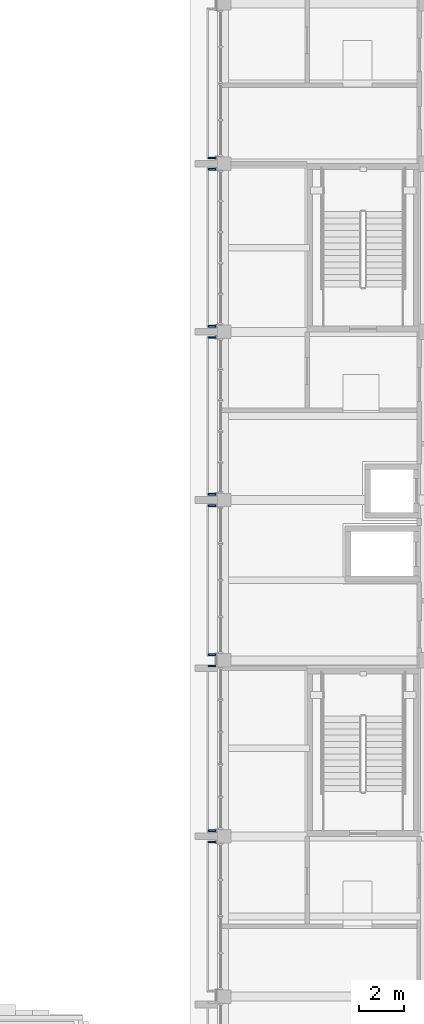
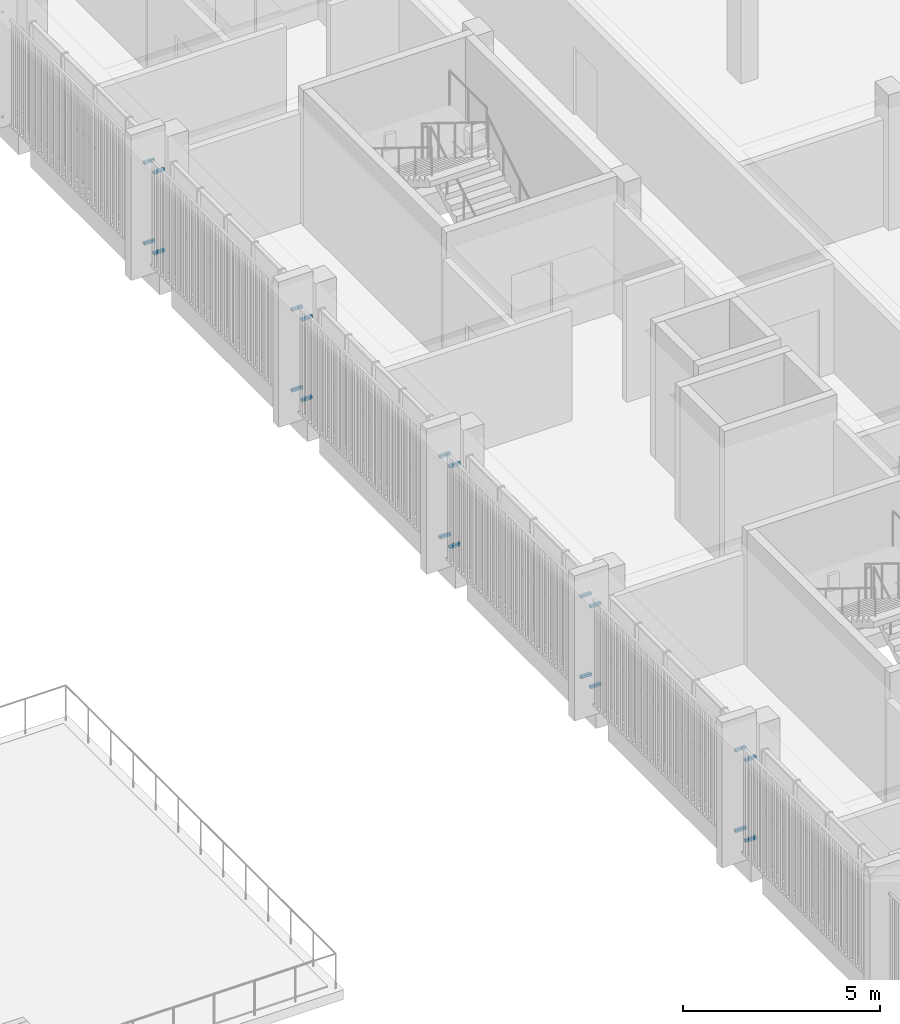
# One storey, part 62 of 98: 20 discrete accessories.
"""IFC4 building model written with IfcOpenShell, lengths in metres."""

import ifcopenshell
import ifcopenshell.guid

model = None  # the IFC model being written
_history = None  # IfcOwnerHistory: only IFC2X3 demands one
_inside = {}  # id of a spatial element -> (the spatial element, [elements in it])
_under = {}  # id of a project, library or spatial element -> (it, [spatial elements below it])
_declared = {}  # id of a project -> (the project, [libraries it declares])
_typed = {}  # id of a type object -> (the type object, [elements of that type])
_made_of = {}  # id of a material, layer set ... -> (it, [elements and type objects made of it])


def new_model(schema):
    """Start an empty IFC model of exactly this schema.

    Asked for "IFC4X3", IfcOpenShell would pick the latest addendum, in which some entities
    have other attributes; the version numbers below select the first issue.
    IFC2X3 requires an IfcOwnerHistory on every rooted entity: one is made here for all.
    """
    global model, _history
    if schema == "IFC4X3":
        model = ifcopenshell.file(schema_version=(4, 3, 0, 0))
    else:
        model = ifcopenshell.file(schema=schema)
    _inside.clear()
    _under.clear()
    _declared.clear()
    _typed.clear()
    _made_of.clear()
    _history = None
    if model.schema == "IFC2X3":
        org = make("IfcOrganization", Name="unknown")
        user = make(
            "IfcPersonAndOrganization",
            ThePerson=make("IfcPerson", FamilyName="unknown"),
            TheOrganization=org,
        )
        app = make(
            "IfcApplication",
            ApplicationDeveloper=org,
            Version="unknown",
            ApplicationFullName="unknown",
            ApplicationIdentifier="unknown",
        )
        _history = make(
            "IfcOwnerHistory",
            OwningUser=user,
            OwningApplication=app,
            ChangeAction="ADDED",
            CreationDate=0,
        )
    return model


def make(cls, **values):
    """One entity of the class cls with the attributes given. An attribute that is None is left unset."""
    return model.create_entity(
        cls, **{name: value for name, value in values.items() if value is not None}
    )


def rooted(cls, **values):
    """An entity with a GlobalId (a new one), such as an element, a storey or a relation."""
    return make(cls, GlobalId=ifcopenshell.guid.new(), OwnerHistory=_history, **values)


def si_unit(unit_type, name, prefix=None):
    """IfcSIUnit, for example si_unit("LENGTHUNIT", "METRE", prefix="MILLI")."""
    return make("IfcSIUnit", UnitType=unit_type, Prefix=prefix, Name=name)


def assignment(units):
    """IfcUnitAssignment: the units of a project."""
    return None if units is None else make("IfcUnitAssignment", Units=units)


def point(xyz):
    """IfcCartesianPoint."""
    return None if xyz is None else make("IfcCartesianPoint", Coordinates=xyz)


def direction(xyz):
    """IfcDirection."""
    return None if xyz is None else make("IfcDirection", DirectionRatios=xyz)


def frame(location, z_axis=None, x_axis=None):
    """IfcAxis2Placement3D, a coordinate frame: its origin and axes. An axis left out is left unset."""
    return make(
        "IfcAxis2Placement3D",
        Location=point(location),
        Axis=direction(z_axis),
        RefDirection=direction(x_axis),
    )


def frame_2d(location, x_axis=None):
    """IfcAxis2Placement2D, a coordinate frame in the plane: its origin and x axis."""
    return make(
        "IfcAxis2Placement2D", Location=point(location), RefDirection=direction(x_axis)
    )


def origin():
    """The frame at (0, 0, 0) with its axes left unset."""
    return frame((0.0, 0.0, 0.0))


def origin_2d():
    """The frame at (0, 0) in the plane with its x axis left unset."""
    return frame_2d((0.0, 0.0))


def place(relative_to, where):
    """IfcLocalPlacement: puts the frame where relative to a parent placement (None: the world)."""
    return make(
        "IfcLocalPlacement", PlacementRelTo=relative_to, RelativePlacement=where
    )


def context(
    kind, dimensions, precision=None, world=None, true_north=None, identifier=None
):
    """IfcGeometricRepresentationContext, for example the 3D "Model" context."""
    return make(
        "IfcGeometricRepresentationContext",
        ContextIdentifier=identifier,
        ContextType=kind,
        CoordinateSpaceDimension=dimensions,
        Precision=precision,
        WorldCoordinateSystem=world,
        TrueNorth=true_north,
    )


def subcontext(parent, identifier, kind, view, scale=None):
    """IfcGeometricRepresentationSubContext, for example "Body" below "Model"."""
    return make(
        "IfcGeometricRepresentationSubContext",
        ContextIdentifier=identifier,
        ContextType=kind,
        ParentContext=parent,
        TargetScale=scale,
        TargetView=view,
    )


def project(units=None, contexts=None):
    """IfcProject with its units and contexts."""
    return rooted(
        "IfcProject",
        Name="project",
        RepresentationContexts=contexts,
        UnitsInContext=assignment(units),
    )


def spatial(cls, under=None, at=None, **own):
    """A site, building, storey or space (cls), placed at a placement, below another one or the project."""
    s = rooted(cls, ObjectPlacement=at, **own)
    if under is not None:
        _under.setdefault(under.id(), (under, []))[1].append(s)
    return s


def profile(cls, at=None, kind="AREA", **sizes):
    """A parametric profile (cls). Its sizes go by their IFC names, for example OverallWidth=200.0."""
    return make(cls, ProfileType=kind, Position=at, **sizes)


def rectangle(**sizes):
    """IfcRectangleProfileDef."""
    return profile("IfcRectangleProfileDef", **sizes)


def extrude(swept, where, along, depth):
    """IfcExtrudedAreaSolid: the profile swept, set in the frame where, extruded along a direction by depth."""
    return make(
        "IfcExtrudedAreaSolid",
        SweptArea=swept,
        Position=where,
        ExtrudedDirection=direction(along),
        Depth=depth,
    )


def shape(context_of_items, identifier, shape_type, items):
    """IfcShapeRepresentation: the items that make up one representation, for example the "Body"."""
    return make(
        "IfcShapeRepresentation",
        ContextOfItems=context_of_items,
        RepresentationIdentifier=identifier,
        RepresentationType=shape_type,
        Items=items,
    )


def material(Name=None, Category=None):
    """IfcMaterial."""
    return make("IfcMaterial", Name=Name, Category=Category)


def made_of(thing, what):
    """Note that an element or type object is made of a material, layer set ...; save() writes the relation."""
    if what is not None:
        _made_of.setdefault(what.id(), (what, []))[1].append(thing)
    return thing


def type_object(cls, material=None, **own):
    """A type object (cls), such as IfcWallType, which elements share."""
    return made_of(rooted(cls, **own), material)


def element(
    cls,
    number,
    at=None,
    inside=None,
    cuts=None,
    type_object=None,
    material=None,
    context=None,
    identifier="Body",
    shape_type=None,
    held_by="IfcProductDefinitionShape",
    body=None,
    shapes=None,
    **own,
):
    """One element of the class cls, such as IfcWall. Its Tag is "e" and its number.

    at: its placement. inside: the storey or other place that contains it. cuts: it is an
    opening in that element (IfcRelVoidsElement). A single representation is given by context,
    identifier, shape_type and body (its items); several are given by shapes. held_by: the class
    of the entity that holds the representations. save() writes the other relations.
    """
    e = rooted(cls, Tag="e%d" % number, ObjectPlacement=at, **own)
    if body is not None:
        shapes = [shape(context, identifier, shape_type, body)]
    if shapes is not None:
        e.Representation = make(held_by, Representations=shapes)
    if inside is not None:
        _inside.setdefault(inside.id(), (inside, []))[1].append(e)
    if cuts is not None:
        rooted(
            "IfcRelVoidsElement", RelatingBuildingElement=cuts, RelatedOpeningElement=e
        )
    if type_object is not None:
        _typed.setdefault(type_object.id(), (type_object, []))[1].append(e)
    return made_of(e, material)


def aggregate(whole, parts):
    """IfcRelAggregates: a whole, such as a stair, and the parts it consists of."""
    return rooted("IfcRelAggregates", RelatingObject=whole, RelatedObjects=parts)


def save(model, path):
    """Write the relations noted so far, then the file.

    IfcRelAggregates (storeys below a building ...), IfcRelContainedInSpatialStructure (elements
    in a storey), IfcRelDefinesByType, IfcRelAssociatesMaterial and IfcRelDeclares: one each for
    every whole, place, type object, material and project.
    """
    for whole, parts in _under.values():
        aggregate(whole, parts)
    for where, things in _inside.values():
        rooted(
            "IfcRelContainedInSpatialStructure",
            RelatedElements=things,
            RelatingStructure=where,
        )
    for kind, things in _typed.values():
        rooted("IfcRelDefinesByType", RelatedObjects=things, RelatingType=kind)
    for what, things in _made_of.values():
        rooted("IfcRelAssociatesMaterial", RelatedObjects=things, RelatingMaterial=what)
    for by, libraries in _declared.values():
        rooted("IfcRelDeclares", RelatingContext=by, RelatedDefinitions=libraries)
    model.write(path)


model = new_model("IFC4")

# Units and contexts
model_context = context("Model", 3, precision=1e-05, world=origin(), true_north=direction((0.0, 1.0)))
body_context = subcontext(model_context, "Body", "Model", "MODEL_VIEW")
ifc_project = project(units=[si_unit("LENGTHUNIT", "METRE"), si_unit("AREAUNIT", "SQUARE_METRE"), si_unit("VOLUMEUNIT", "CUBIC_METRE"), si_unit("PLANEANGLEUNIT", "RADIAN"), si_unit("MASSUNIT", "GRAM", prefix="KILO")], contexts=[model_context])

# Site, building, storey
site_placement = place(None, origin())
site = spatial("IfcSite", under=ifc_project, at=site_placement, CompositionType="ELEMENT")
building_placement = place(site_placement, origin())
building = spatial("IfcBuilding", under=site, at=building_placement, Name="Sun Court Science Centre", CompositionType="ELEMENT")
storey_placement = place(building_placement, frame((0.0, 0.0, 15.75)))
storey = spatial("IfcBuildingStorey", under=building, at=storey_placement, Name="L03", CompositionType="ELEMENT", Elevation=15.75)

# Discrete accessories
ifc_material = material(Name="Stainless steel", Category="steel")
discrete_accessory_type = type_object("IfcDiscreteAccessoryType", Name="Jali screen bracket", PredefinedType="BRACKET", material=ifc_material)
for number, where, z_axis, x_axis, name in (
    (1, (77.760009765625, 35.75, 0.659912109375), (0.0, 0.0, 1.0), (0.0, 1.0, 0.0), "Jali screen bracket west face L03 03"),
    (2, (77.760009765625, 35.75, 3.159912109375), (0.0, 0.0, 1.0), (0.0, 1.0, 0.0), "Jali screen bracket west face L03 03"),
    (3, (77.760009765625, 36.25, 0.659912109375), (0.0, 0.0, 1.0), (0.0, 1.0, 0.0), "Jali screen bracket west face L03 04"),
    (4, (77.760009765625, 43.60009765625, 0.659912109375), (0.0, 0.0, 1.0), (0.0, 1.0, 0.0), "Jali screen bracket west face L03 04"),
    (5, (77.760009765625, 36.25, 3.159912109375), (0.0, 0.0, 1.0), (0.0, 1.0, 0.0), "Jali screen bracket west face L03 04"),
    (6, (77.760009765625, 43.60009765625, 3.159912109375), (0.0, 0.0, 1.0), (0.0, 1.0, 0.0), "Jali screen bracket west face L03 04"),
    (7, (77.760009765625, 44.10009765625, 0.659912109375), (0.0, 0.0, 1.0), (0.0, 1.0, 0.0), "Jali screen bracket west face L03 05"),
    (8, (77.760009765625, 50.75, 0.659912109375), (0.0, 0.0, 1.0), (0.0, 1.0, 0.0), "Jali screen bracket west face L03 05"),
    (9, (77.760009765625, 44.10009765625, 3.159912109375), (0.0, 0.0, 1.0), (0.0, 1.0, 0.0), "Jali screen bracket west face L03 05"),
    (10, (77.760009765625, 50.75, 3.159912109375), (0.0, 0.0, 1.0), (0.0, 1.0, 0.0), "Jali screen bracket west face L03 05"),
    (11, (77.760009765625, 51.25, 0.659912109375), (0.0, 0.0, 1.0), (0.0, 1.0, 0.0), "Jali screen bracket west face L03 06"),
    (12, (77.760009765625, 58.25, 0.659912109375), (0.0, 0.0, 1.0), (0.0, 1.0, 0.0), "Jali screen bracket west face L03 06"),
    (13, (77.760009765625, 51.25, 3.159912109375), (0.0, 0.0, 1.0), (0.0, 1.0, 0.0), "Jali screen bracket west face L03 06"),
    (14, (77.760009765625, 58.25, 3.159912109375), (0.0, 0.0, 1.0), (0.0, 1.0, 0.0), "Jali screen bracket west face L03 06"),
    (15, (77.760009765625, 58.75, 0.659912109375), (0.0, 0.0, 1.0), (0.0, 1.0, 0.0), "Jali screen bracket west face L03 07"),
    (16, (77.760009765625, 65.75, 0.659912109375), (0.0, 0.0, 1.0), (0.0, 1.0, 0.0), "Jali screen bracket west face L03 07"),
    (17, (77.760009765625, 58.75, 3.159912109375), (0.0, 0.0, 1.0), (0.0, 1.0, 0.0), "Jali screen bracket west face L03 07"),
    (18, (77.760009765625, 65.75, 3.159912109375), (0.0, 0.0, 1.0), (0.0, 1.0, 0.0), "Jali screen bracket west face L03 07"),
    (19, (77.760009765625, 66.25, 0.659912109375), (0.0, 0.0, 1.0), (0.0, 1.0, 0.0), "Jali screen bracket west face L03 08"),
    (20, (77.760009765625, 66.25, 3.159912109375), (0.0, 0.0, 1.0), (0.0, 1.0, 0.0), "Jali screen bracket west face L03 08"),
):
    element("IfcDiscreteAccessory", number, at=place(storey_placement, frame(where, z_axis=z_axis, x_axis=x_axis)), inside=storey, type_object=discrete_accessory_type, Name=name, PredefinedType="BRACKET", context=body_context, shape_type="SweptSolid", body=[
        extrude(rectangle(XDim=0.080078125, YDim=0.320068359375, at=origin_2d()), origin(), (0.0, 0.0, 1.0), 0.080078125),
    ])

save(model, "model.ifc")
